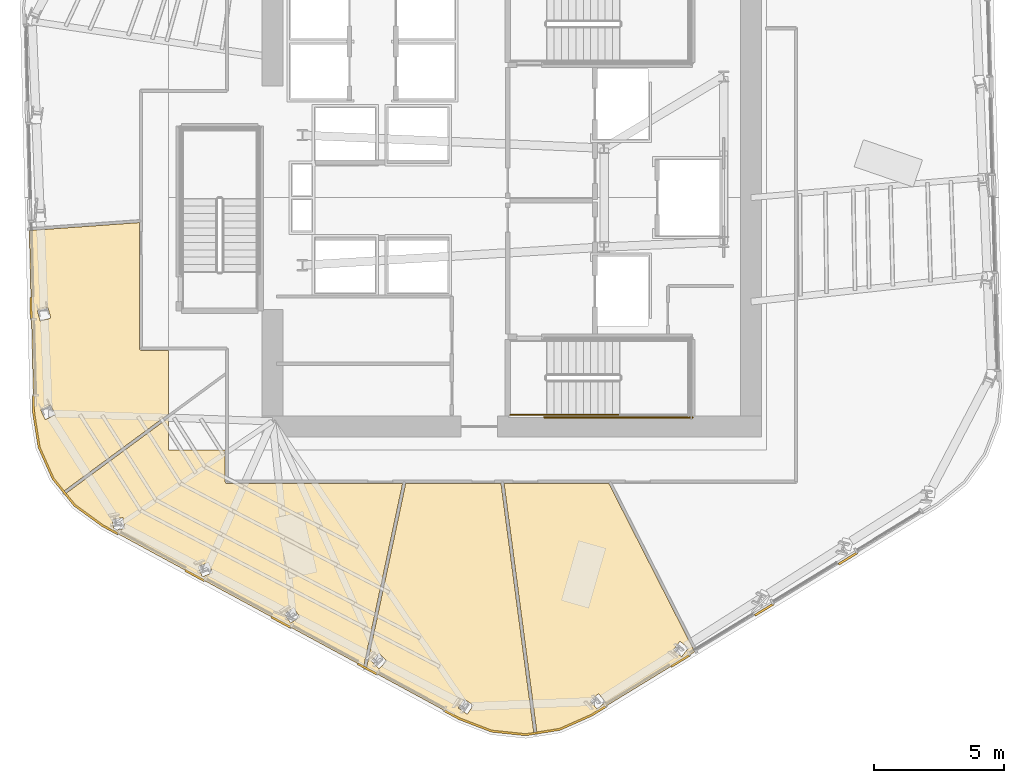
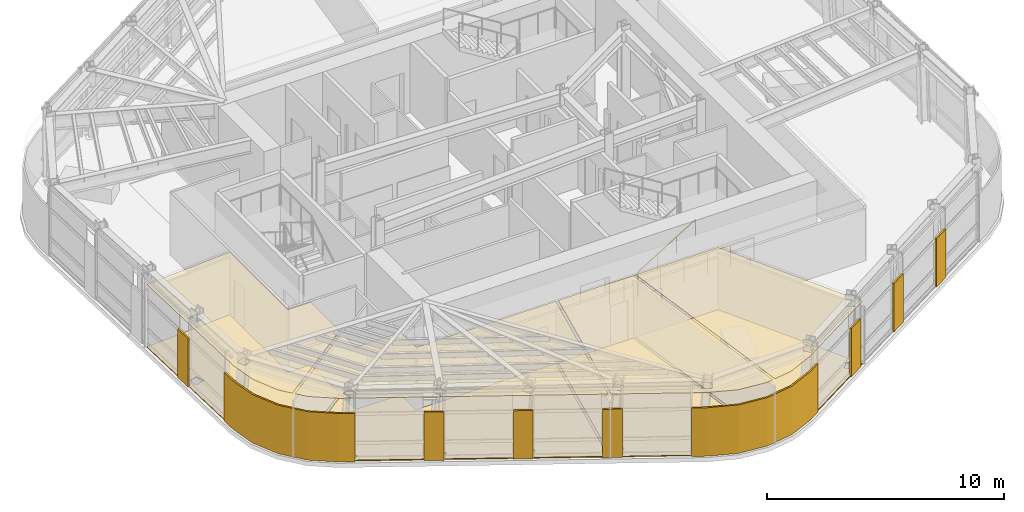
# One storey, part 10 of 15: 17 coverings, 3 railings.
"""IFC4 building model written with IfcOpenShell, lengths in metres."""

import ifcopenshell
import ifcopenshell.guid

model = None  # the IFC model being written
_history = None  # IfcOwnerHistory: only IFC2X3 demands one
_inside = {}  # id of a spatial element -> (the spatial element, [elements in it])
_under = {}  # id of a project, library or spatial element -> (it, [spatial elements below it])
_declared = {}  # id of a project -> (the project, [libraries it declares])
_typed = {}  # id of a type object -> (the type object, [elements of that type])
_made_of = {}  # id of a material, layer set ... -> (it, [elements and type objects made of it])


def new_model(schema):
    """Start an empty IFC model of exactly this schema.

    Asked for "IFC4X3", IfcOpenShell would pick the latest addendum, in which some entities
    have other attributes; the version numbers below select the first issue.
    IFC2X3 requires an IfcOwnerHistory on every rooted entity: one is made here for all.
    """
    global model, _history
    if schema == "IFC4X3":
        model = ifcopenshell.file(schema_version=(4, 3, 0, 0))
    else:
        model = ifcopenshell.file(schema=schema)
    _inside.clear()
    _under.clear()
    _declared.clear()
    _typed.clear()
    _made_of.clear()
    _history = None
    if model.schema == "IFC2X3":
        org = make("IfcOrganization", Name="unknown")
        user = make(
            "IfcPersonAndOrganization",
            ThePerson=make("IfcPerson", FamilyName="unknown"),
            TheOrganization=org,
        )
        app = make(
            "IfcApplication",
            ApplicationDeveloper=org,
            Version="unknown",
            ApplicationFullName="unknown",
            ApplicationIdentifier="unknown",
        )
        _history = make(
            "IfcOwnerHistory",
            OwningUser=user,
            OwningApplication=app,
            ChangeAction="ADDED",
            CreationDate=0,
        )
    return model


def make(cls, **values):
    """One entity of the class cls with the attributes given. An attribute that is None is left unset."""
    return model.create_entity(
        cls, **{name: value for name, value in values.items() if value is not None}
    )


def rooted(cls, **values):
    """An entity with a GlobalId (a new one), such as an element, a storey or a relation."""
    return make(cls, GlobalId=ifcopenshell.guid.new(), OwnerHistory=_history, **values)


def si_unit(unit_type, name, prefix=None):
    """IfcSIUnit, for example si_unit("LENGTHUNIT", "METRE", prefix="MILLI")."""
    return make("IfcSIUnit", UnitType=unit_type, Prefix=prefix, Name=name)


def assignment(units):
    """IfcUnitAssignment: the units of a project."""
    return None if units is None else make("IfcUnitAssignment", Units=units)


def point(xyz):
    """IfcCartesianPoint."""
    return None if xyz is None else make("IfcCartesianPoint", Coordinates=xyz)


def direction(xyz):
    """IfcDirection."""
    return None if xyz is None else make("IfcDirection", DirectionRatios=xyz)


def frame(location, z_axis=None, x_axis=None):
    """IfcAxis2Placement3D, a coordinate frame: its origin and axes. An axis left out is left unset."""
    return make(
        "IfcAxis2Placement3D",
        Location=point(location),
        Axis=direction(z_axis),
        RefDirection=direction(x_axis),
    )


def frame_2d(location, x_axis=None):
    """IfcAxis2Placement2D, a coordinate frame in the plane: its origin and x axis."""
    return make(
        "IfcAxis2Placement2D", Location=point(location), RefDirection=direction(x_axis)
    )


def origin():
    """The frame at (0, 0, 0) with its axes left unset."""
    return frame((0.0, 0.0, 0.0))


def origin_2d():
    """The frame at (0, 0) in the plane with its x axis left unset."""
    return frame_2d((0.0, 0.0))


def place(relative_to, where):
    """IfcLocalPlacement: puts the frame where relative to a parent placement (None: the world)."""
    return make(
        "IfcLocalPlacement", PlacementRelTo=relative_to, RelativePlacement=where
    )


def context(
    kind, dimensions, precision=None, world=None, true_north=None, identifier=None
):
    """IfcGeometricRepresentationContext, for example the 3D "Model" context."""
    return make(
        "IfcGeometricRepresentationContext",
        ContextIdentifier=identifier,
        ContextType=kind,
        CoordinateSpaceDimension=dimensions,
        Precision=precision,
        WorldCoordinateSystem=world,
        TrueNorth=true_north,
    )


def subcontext(parent, identifier, kind, view, scale=None):
    """IfcGeometricRepresentationSubContext, for example "Body" below "Model"."""
    return make(
        "IfcGeometricRepresentationSubContext",
        ContextIdentifier=identifier,
        ContextType=kind,
        ParentContext=parent,
        TargetScale=scale,
        TargetView=view,
    )


def project(units=None, contexts=None):
    """IfcProject with its units and contexts."""
    return rooted(
        "IfcProject",
        Name="project",
        RepresentationContexts=contexts,
        UnitsInContext=assignment(units),
    )


def spatial(cls, under=None, at=None, **own):
    """A site, building, storey or space (cls), placed at a placement, below another one or the project."""
    s = rooted(cls, ObjectPlacement=at, **own)
    if under is not None:
        _under.setdefault(under.id(), (under, []))[1].append(s)
    return s


def polyline(points):
    """IfcPolyline through the points."""
    return make("IfcPolyline", Points=[point(p) for p in points])


def profile(cls, at=None, kind="AREA", **sizes):
    """A parametric profile (cls). Its sizes go by their IFC names, for example OverallWidth=200.0."""
    return make(cls, ProfileType=kind, Position=at, **sizes)


def circle(**sizes):
    """IfcCircleProfileDef."""
    return profile("IfcCircleProfileDef", **sizes)


def outline(outer, holes=None, kind="AREA"):
    """IfcArbitraryClosedProfileDef: a profile drawn as a closed curve; with holes, ...WithVoids."""
    if holes is None:
        return make("IfcArbitraryClosedProfileDef", ProfileType=kind, OuterCurve=outer)
    return make(
        "IfcArbitraryProfileDefWithVoids",
        ProfileType=kind,
        OuterCurve=outer,
        InnerCurves=holes,
    )


def extrude(swept, where, along, depth):
    """IfcExtrudedAreaSolid: the profile swept, set in the frame where, extruded along a direction by depth."""
    return make(
        "IfcExtrudedAreaSolid",
        SweptArea=swept,
        Position=where,
        ExtrudedDirection=direction(along),
        Depth=depth,
    )


def shape(context_of_items, identifier, shape_type, items):
    """IfcShapeRepresentation: the items that make up one representation, for example the "Body"."""
    return make(
        "IfcShapeRepresentation",
        ContextOfItems=context_of_items,
        RepresentationIdentifier=identifier,
        RepresentationType=shape_type,
        Items=items,
    )


def material(Name=None, Category=None):
    """IfcMaterial."""
    return make("IfcMaterial", Name=Name, Category=Category)


def layer(
    of_material, thickness, ventilated=None, Name=None, Category=None, Priority=None
):
    """IfcMaterialLayer: one layer of a wall or slab, of a material (None: an air gap)."""
    return make(
        "IfcMaterialLayer",
        Material=of_material,
        LayerThickness=thickness,
        IsVentilated=ventilated,
        Name=Name,
        Category=Category,
        Priority=Priority,
    )


def layer_set(layers, Name=None):
    """IfcMaterialLayerSet."""
    return make("IfcMaterialLayerSet", MaterialLayers=layers, LayerSetName=Name)


def made_of(thing, what):
    """Note that an element or type object is made of a material, layer set ...; save() writes the relation."""
    if what is not None:
        _made_of.setdefault(what.id(), (what, []))[1].append(thing)
    return thing


def type_object(cls, material=None, **own):
    """A type object (cls), such as IfcWallType, which elements share."""
    return made_of(rooted(cls, **own), material)


def element(
    cls,
    number,
    at=None,
    inside=None,
    cuts=None,
    type_object=None,
    material=None,
    context=None,
    identifier="Body",
    shape_type=None,
    held_by="IfcProductDefinitionShape",
    body=None,
    shapes=None,
    **own,
):
    """One element of the class cls, such as IfcWall. Its Tag is "e" and its number.

    at: its placement. inside: the storey or other place that contains it. cuts: it is an
    opening in that element (IfcRelVoidsElement). A single representation is given by context,
    identifier, shape_type and body (its items); several are given by shapes. held_by: the class
    of the entity that holds the representations. save() writes the other relations.
    """
    e = rooted(cls, Tag="e%d" % number, ObjectPlacement=at, **own)
    if body is not None:
        shapes = [shape(context, identifier, shape_type, body)]
    if shapes is not None:
        e.Representation = make(held_by, Representations=shapes)
    if inside is not None:
        _inside.setdefault(inside.id(), (inside, []))[1].append(e)
    if cuts is not None:
        rooted(
            "IfcRelVoidsElement", RelatingBuildingElement=cuts, RelatedOpeningElement=e
        )
    if type_object is not None:
        _typed.setdefault(type_object.id(), (type_object, []))[1].append(e)
    return made_of(e, material)


def aggregate(whole, parts):
    """IfcRelAggregates: a whole, such as a stair, and the parts it consists of."""
    return rooted("IfcRelAggregates", RelatingObject=whole, RelatedObjects=parts)


def save(model, path):
    """Write the relations noted so far, then the file.

    IfcRelAggregates (storeys below a building ...), IfcRelContainedInSpatialStructure (elements
    in a storey), IfcRelDefinesByType, IfcRelAssociatesMaterial and IfcRelDeclares: one each for
    every whole, place, type object, material and project.
    """
    for whole, parts in _under.values():
        aggregate(whole, parts)
    for where, things in _inside.values():
        rooted(
            "IfcRelContainedInSpatialStructure",
            RelatedElements=things,
            RelatingStructure=where,
        )
    for kind, things in _typed.values():
        rooted("IfcRelDefinesByType", RelatedObjects=things, RelatingType=kind)
    for what, things in _made_of.values():
        rooted("IfcRelAssociatesMaterial", RelatedObjects=things, RelatingMaterial=what)
    for by, libraries in _declared.values():
        rooted("IfcRelDeclares", RelatingContext=by, RelatedDefinitions=libraries)
    model.write(path)


model = new_model("IFC4")

# Units and contexts
model_context = context("Model", 3, precision=1e-05, world=origin(), true_north=direction((0.0, 1.0)))
body_context = subcontext(model_context, "Body", "Model", "MODEL_VIEW")
ifc_project = project(units=[si_unit("LENGTHUNIT", "METRE"), si_unit("AREAUNIT", "SQUARE_METRE"), si_unit("VOLUMEUNIT", "CUBIC_METRE"), si_unit("PLANEANGLEUNIT", "RADIAN"), si_unit("MASSUNIT", "GRAM", prefix="KILO")], contexts=[model_context])

# Site, building, storey
site_placement = place(None, origin())
site = spatial("IfcSite", under=ifc_project, at=site_placement, CompositionType="ELEMENT")
building_placement = place(site_placement, origin())
building = spatial("IfcBuilding", under=site, at=building_placement, Name="Valkerne Bourse Tower", CompositionType="ELEMENT")
storey_placement = place(building_placement, frame((0.0, 0.0, 159.0)))
storey = spatial("IfcBuildingStorey", under=building, at=storey_placement, Name="L40", CompositionType="ELEMENT", Elevation=159.0)

# Coverings
ifc_material_1 = material(Name="Mineral Fiber Acoustic Ceiling Tile", Category="acoustic")
ifc_layer_1 = layer(ifc_material_1, 0.02490234375)
ifc_layer_set_1 = layer_set([ifc_layer_1], Name="Mineral Fiber Acoustic Ceiling Tile")
covering_type_1 = type_object("IfcCoveringType", Name="COV-CEIL-ACT", PredefinedType="CEILING", material=ifc_layer_set_1)
covering_1_placement = place(storey_placement, frame((0.0, 0.0, 3.22998046875)))
element("IfcCovering", 1, at=covering_1_placement, inside=storey, type_object=covering_type_1, Name="L40 Suspended Ceiling 04", PredefinedType="CEILING", context=body_context, shape_type="SweptSolid", body=[
    extrude(outline(polyline([(28.42822265625, 18.716064453125), (28.25341796875, 25.733642578125), (32.48095703125, 26.038330078125), (32.48095703125, 21.199462890625), (32.490478515625, 21.164794921875), (32.514892578125, 21.140380859375), (32.549560546875, 21.131103515625), (33.60009765625, 21.131103515625), (33.60009765625, 18.6748046875), (29.57080078125, 15.70654296875), (29.1728515625, 16.197998046875), (28.63623046875, 17.403564453125), (28.42822265625, 18.716064453125)]), holes=[polyline([(29.251953125, 18.65185546875), (29.250732421875, 18.654541015625), (29.069580078125, 19.025634765625), (28.68798828125, 18.83935546875), (28.689208984375, 18.8369140625), (28.870361328125, 18.465576171875), (29.251953125, 18.65185546875)]), polyline([(29.079345703125, 22.37109375), (28.970947265625, 22.769775390625), (28.561279296875, 22.65869140625), (28.56201171875, 22.656005859375), (28.670166015625, 22.25732421875), (29.080078125, 22.368408203125), (29.079345703125, 22.37109375)])]), origin(), (0.0, 0.0, 1.0), 0.02490234375),
])
covering_2_placement = place(storey_placement, frame((0.0, 0.0, 3.22998046875)))
element("IfcCovering", 2, at=covering_2_placement, inside=storey, type_object=covering_type_1, Name="L40 Suspended Ceiling 05", PredefinedType="CEILING", context=body_context, shape_type="SweptSolid", body=[
    extrude(outline(polyline([(44.787353515625, 6.970947265625), (41.214111328125, 8.905029296875), (42.724609375, 16.010986328125), (46.38720703125, 16.010986328125), (47.651611328125, 6.406005859375), (47.340576171875, 6.356689453125), (46.0283203125, 6.49462890625), (44.787353515625, 6.970947265625)]), holes=[polyline([(45.325927734375, 7.484619140625), (44.97509765625, 7.7216796875), (44.97216796875, 7.72216796875), (44.7412109375, 7.37841796875), (45.092041015625, 7.14111328125), (45.094970703125, 7.140869140625), (45.325927734375, 7.484619140625)]), polyline([(41.692626953125, 9.482421875), (41.690185546875, 9.483154296875), (41.3984375, 9.18896484375), (41.69873046875, 8.889892578125), (41.701416015625, 8.88916015625), (41.992919921875, 9.183349609375), (41.692626953125, 9.482421875)])]), origin(), (0.0, 0.0, 1.0), 0.02490234375),
])
covering_3_placement = place(storey_placement, frame((0.0, 0.0, 3.22998046875)))
element("IfcCovering", 3, at=covering_3_placement, inside=storey, type_object=covering_type_1, Name="L40 Suspended Ceiling 06", PredefinedType="CEILING", context=body_context, shape_type="SweptSolid", body=[
    extrude(outline(polyline([(47.768310546875, 6.424560546875), (46.506103515625, 16.010986328125), (50.532958984375, 16.010986328125), (53.833740234375, 9.532958984375), (49.858154296875, 7.103759765625), (48.643798828125, 6.563232421875), (47.768310546875, 6.424560546875)]), holes=[polyline([(50.406005859375, 7.614990234375), (50.135498046875, 7.928466796875), (50.1328125, 7.927978515625), (49.81298828125, 7.650390625), (50.08349609375, 7.3369140625), (50.086181640625, 7.33740234375), (50.406005859375, 7.614990234375)]), polyline([(53.5927734375, 9.684326171875), (53.26806640625, 9.94140625), (53.265380859375, 9.9404296875), (53.00341796875, 9.607666015625), (53.328125, 9.3505859375), (53.33056640625, 9.3515625), (53.5927734375, 9.684326171875)])]), origin(), (0.0, 0.0, 1.0), 0.02490234375),
])
covering_4_placement = place(storey_placement, frame((0.0, 0.0, 3.22998046875)))
element("IfcCovering", 4, at=covering_4_placement, inside=storey, type_object=covering_type_1, Name="L40 Suspended Ceiling 07", PredefinedType="CEILING", context=body_context, shape_type="SweptSolid", body=[
    extrude(outline(polyline([(29.645263671875, 15.61474609375), (33.60009765625, 18.5283203125), (33.60009765625, 17.300048828125), (35.781005859375, 17.300048828125), (35.781005859375, 16.07958984375), (35.790283203125, 16.044921875), (35.814208984375, 16.02099609375), (35.849365234375, 16.010986328125), (42.60400390625, 16.010986328125), (41.10595703125, 8.963623046875), (31.078369140625, 14.391357421875), (30.00341796875, 15.172607421875), (29.645263671875, 15.61474609375)]), holes=[polyline([(38.4150390625, 11.2314453125), (38.41259765625, 11.232666015625), (38.0673828125, 11.00390625), (38.300537109375, 10.650146484375), (38.302978515625, 10.64892578125), (38.648193359375, 10.877685546875), (38.4150390625, 11.2314453125)]), polyline([(35.13525390625, 12.968505859375), (35.133056640625, 12.97021484375), (34.74853515625, 12.81640625), (34.90478515625, 12.422607421875), (34.90673828125, 12.4208984375), (35.29150390625, 12.57470703125), (35.13525390625, 12.968505859375)]), polyline([(31.926025390625, 14.280517578125), (31.8466796875, 14.696533203125), (31.844970703125, 14.69873046875), (31.438232421875, 14.619873046875), (31.517578125, 14.203857421875), (31.51953125, 14.20166015625), (31.926025390625, 14.280517578125)])]), origin(), (0.0, 0.0, 1.0), 0.02490234375),
])
ifc_material_2 = material(Name="Bronze Anodised Aluminium AA 6063-T6", Category="aluminium")
ifc_layer_2 = layer(ifc_material_2, 0.06005859375)
ifc_layer_set_2 = layer_set([ifc_layer_2], Name="Bronze Anodised Aluminium AA 6063-T6")
covering_type_2 = type_object("IfcCoveringType", Name="COV-CRN-ALUM", PredefinedType="CLADDING", material=ifc_layer_set_2)
covering_5_placement = place(storey_placement, origin())
element("IfcCovering", 5, at=covering_5_placement, inside=storey, type_object=covering_type_2, Name="L40 Wind-Shaped Corner Aluminium Cladding 02", PredefinedType="CLADDING", context=body_context, shape_type="SweptSolid", body=[
    extrude(outline(polyline([(59.386474609375, 12.874267578125), (59.344482421875, 12.9423828125), (60.061279296875, 13.380615234375), (60.103271484375, 13.312255859375), (59.386474609375, 12.874267578125)])), origin(), (0.0, 0.0, 1.0), 2.5),
])
covering_6_placement = place(storey_placement, origin())
element("IfcCovering", 6, at=covering_6_placement, inside=storey, type_object=covering_type_2, Name="L40 Wind-Shaped Corner Aluminium Cladding 03", PredefinedType="CLADDING", context=body_context, shape_type="SweptSolid", body=[
    extrude(outline(polyline([(56.168701171875, 10.908203125), (56.126708984375, 10.976318359375), (56.843505859375, 11.414306640625), (56.885498046875, 11.34619140625), (56.168701171875, 10.908203125)])), origin(), (0.0, 0.0, 1.0), 2.5),
])
covering_7_placement = place(storey_placement, origin())
element("IfcCovering", 7, at=covering_7_placement, inside=storey, type_object=covering_type_2, Name="L40 Wind-Shaped Corner Aluminium Cladding 04", PredefinedType="CLADDING", context=body_context, shape_type="SweptSolid", body=[
    extrude(outline(polyline([(52.95068359375, 8.94189453125), (52.908935546875, 9.010009765625), (53.625732421875, 9.447998046875), (53.66748046875, 9.3798828125), (52.95068359375, 8.94189453125)])), origin(), (0.0, 0.0, 1.0), 2.5),
])
covering_8_placement = place(storey_placement, origin())
element("IfcCovering", 8, at=covering_8_placement, inside=storey, type_object=covering_type_2, Name="L40 Wind-Shaped Corner Aluminium Cladding 05", PredefinedType="CLADDING", context=body_context, shape_type="SweptSolid", body=[
    extrude(outline(polyline([(49.878662109375, 7.064697265625), (48.656494140625, 6.5205078125), (47.341796875, 6.3125), (46.017822265625, 6.45166015625), (44.768798828125, 6.930908203125), (44.180419921875, 7.24951171875), (44.218505859375, 7.31982421875), (44.802490234375, 7.00390625), (46.03662109375, 6.530029296875), (47.339599609375, 6.39306640625), (48.633544921875, 6.597900390625), (49.84130859375, 7.1357421875), (50.40771484375, 7.48193359375), (50.44970703125, 7.413818359375), (49.878662109375, 7.064697265625)])), origin(), (0.0, 0.0, 1.0), 2.5),
])
covering_9_placement = place(storey_placement, origin())
element("IfcCovering", 9, at=covering_9_placement, inside=storey, type_object=covering_type_2, Name="L40 Wind-Shaped Corner Aluminium Cladding 06", PredefinedType="CLADDING", context=body_context, shape_type="SweptSolid", body=[
    extrude(outline(polyline([(40.864013671875, 9.044677734375), (40.902099609375, 9.114990234375), (41.64111328125, 8.715087890625), (41.602783203125, 8.644775390625), (40.864013671875, 9.044677734375)])), origin(), (0.0, 0.0, 1.0), 2.5),
])
covering_10_placement = place(storey_placement, origin())
element("IfcCovering", 10, at=covering_10_placement, inside=storey, type_object=covering_type_2, Name="L40 Wind-Shaped Corner Aluminium Cladding 07", PredefinedType="CLADDING", context=body_context, shape_type="SweptSolid", body=[
    extrude(outline(polyline([(37.5478515625, 10.839599609375), (37.5859375, 10.909912109375), (38.32470703125, 10.510009765625), (38.28662109375, 10.439697265625), (37.5478515625, 10.839599609375)])), origin(), (0.0, 0.0, 1.0), 2.5),
])
covering_11_placement = place(storey_placement, origin())
element("IfcCovering", 11, at=covering_11_placement, inside=storey, type_object=covering_type_2, Name="L40 Wind-Shaped Corner Aluminium Cladding 08", PredefinedType="CLADDING", context=body_context, shape_type="SweptSolid", body=[
    extrude(outline(polyline([(34.2314453125, 12.634765625), (34.26953125, 12.705078125), (35.00830078125, 12.30517578125), (34.97021484375, 12.23486328125), (34.2314453125, 12.634765625)])), origin(), (0.0, 0.0, 1.0), 2.5),
])
covering_12_placement = place(storey_placement, origin())
element("IfcCovering", 12, at=covering_12_placement, inside=storey, type_object=covering_type_2, Name="L40 Wind-Shaped Corner Aluminium Cladding 09", PredefinedType="CLADDING", context=body_context, shape_type="SweptSolid", body=[
    extrude(outline(polyline([(31.054931640625, 14.35400390625), (29.97265625, 15.140380859375), (29.135009765625, 16.1748046875), (28.593505859375, 17.390869140625), (28.38427734375, 18.712158203125), (28.367431640625, 19.39306640625), (28.447265625, 19.39501953125), (28.464111328125, 18.719482421875), (28.6708984375, 17.413818359375), (29.203857421875, 16.217041015625), (30.0283203125, 15.198974609375), (31.09765625, 14.421875), (31.69189453125, 14.10009765625), (31.65380859375, 14.02978515625), (31.054931640625, 14.35400390625)])), origin(), (0.0, 0.0, 1.0), 2.5),
])
covering_13_placement = place(storey_placement, origin())
element("IfcCovering", 13, at=covering_13_placement, inside=storey, type_object=covering_type_2, Name="L40 Wind-Shaped Corner Aluminium Cladding 10", PredefinedType="CLADDING", context=body_context, shape_type="SweptSolid", body=[
    extrude(outline(polyline([(28.2734375, 23.162841796875), (28.353515625, 23.164794921875), (28.37451171875, 22.3251953125), (28.29443359375, 22.322998046875), (28.2734375, 23.162841796875)])), origin(), (0.0, 0.0, 1.0), 2.5),
])
ifc_material_3 = material(Name="Galvanised Painted Steel", Category="steel")
ifc_layer_3 = layer(ifc_material_3, 0.044921875)
ifc_layer_set_3 = layer_set([ifc_layer_3], Name="Galvanised Painted Steel")
covering_type_3 = type_object("IfcCoveringType", Name="COV-FLR-RAF", PredefinedType="FLOORING", material=ifc_layer_set_3)
covering_14_placement = place(storey_placement, origin())
element("IfcCovering", 14, at=covering_14_placement, inside=storey, type_object=covering_type_3, Name="L40 Floor Finish 06", PredefinedType="FLOORING", context=body_context, shape_type="SweptSolid", body=[
    extrude(outline(polyline([(47.768310546875, 6.424560546875), (46.506103515625, 16.010986328125), (50.532958984375, 16.010986328125), (53.833740234375, 9.532958984375), (49.858154296875, 7.103759765625), (48.643798828125, 6.563232421875), (47.768310546875, 6.424560546875)]), holes=[polyline([(50.406005859375, 7.614990234375), (50.135498046875, 7.928466796875), (50.1328125, 7.927978515625), (49.81298828125, 7.650390625), (50.08349609375, 7.3369140625), (50.086181640625, 7.33740234375), (50.406005859375, 7.614990234375)]), polyline([(53.5927734375, 9.684326171875), (53.26806640625, 9.94140625), (53.265380859375, 9.9404296875), (53.00341796875, 9.607666015625), (53.328125, 9.3505859375), (53.33056640625, 9.3515625), (53.5927734375, 9.684326171875)])]), origin(), (0.0, 0.0, 1.0), 0.044921875),
])
covering_15_placement = place(storey_placement, origin())
element("IfcCovering", 15, at=covering_15_placement, inside=storey, type_object=covering_type_3, Name="L40 Floor Finish 07", PredefinedType="FLOORING", context=body_context, shape_type="SweptSolid", body=[
    extrude(outline(polyline([(29.645263671875, 15.61474609375), (33.60009765625, 18.5283203125), (33.60009765625, 17.300048828125), (35.781005859375, 17.300048828125), (35.781005859375, 16.07958984375), (35.790283203125, 16.044921875), (35.814208984375, 16.02099609375), (35.849365234375, 16.010986328125), (42.60400390625, 16.010986328125), (41.10595703125, 8.963623046875), (31.078369140625, 14.391357421875), (30.00341796875, 15.172607421875), (29.645263671875, 15.61474609375)]), holes=[polyline([(38.4150390625, 11.2314453125), (38.41259765625, 11.232666015625), (38.0673828125, 11.00390625), (38.300537109375, 10.650146484375), (38.302978515625, 10.64892578125), (38.648193359375, 10.877685546875), (38.4150390625, 11.2314453125)]), polyline([(35.13525390625, 12.968505859375), (35.133056640625, 12.97021484375), (34.74853515625, 12.81640625), (34.90478515625, 12.422607421875), (34.90673828125, 12.4208984375), (35.29150390625, 12.57470703125), (35.13525390625, 12.968505859375)]), polyline([(31.926025390625, 14.280517578125), (31.8466796875, 14.696533203125), (31.844970703125, 14.69873046875), (31.438232421875, 14.619873046875), (31.517578125, 14.203857421875), (31.51953125, 14.20166015625), (31.926025390625, 14.280517578125)])]), origin(), (0.0, 0.0, 1.0), 0.044921875),
])
ifc_material_4 = material(Name="Polished Granite Stone", Category="masonry")
ifc_layer_4 = layer(ifc_material_4, 0.030029296875)
ifc_layer_set_4 = layer_set([ifc_layer_4], Name="Polished Granite Stone")
covering_type_4 = type_object("IfcCoveringType", Name="COV-FLR-TERRAZZO", PredefinedType="FLOORING", material=ifc_layer_set_4)
covering_16_placement = place(storey_placement, origin())
element("IfcCovering", 16, at=covering_16_placement, inside=storey, type_object=covering_type_4, Name="L40 Floor Finish 04", PredefinedType="FLOORING", context=body_context, shape_type="SweptSolid", body=[
    extrude(outline(polyline([(28.42822265625, 18.716064453125), (28.25341796875, 25.733642578125), (32.48095703125, 26.038330078125), (32.48095703125, 21.199462890625), (32.490478515625, 21.164794921875), (32.514892578125, 21.140380859375), (32.549560546875, 21.131103515625), (33.60009765625, 21.131103515625), (33.60009765625, 18.6748046875), (29.57080078125, 15.70654296875), (29.1728515625, 16.197998046875), (28.63623046875, 17.403564453125), (28.42822265625, 18.716064453125)]), holes=[polyline([(29.251953125, 18.65185546875), (29.250732421875, 18.654541015625), (29.069580078125, 19.025634765625), (28.68798828125, 18.83935546875), (28.689208984375, 18.8369140625), (28.870361328125, 18.465576171875), (29.251953125, 18.65185546875)]), polyline([(29.079345703125, 22.37109375), (28.970947265625, 22.769775390625), (28.561279296875, 22.65869140625), (28.56201171875, 22.656005859375), (28.670166015625, 22.25732421875), (29.080078125, 22.368408203125), (29.079345703125, 22.37109375)])]), origin(), (0.0, 0.0, 1.0), 0.030029296875),
])
covering_17_placement = place(storey_placement, origin())
element("IfcCovering", 17, at=covering_17_placement, inside=storey, type_object=covering_type_4, Name="L40 Floor Finish 05", PredefinedType="FLOORING", context=body_context, shape_type="SweptSolid", body=[
    extrude(outline(polyline([(44.787353515625, 6.970947265625), (41.214111328125, 8.905029296875), (42.724609375, 16.010986328125), (46.38720703125, 16.010986328125), (47.651611328125, 6.406005859375), (47.340576171875, 6.356689453125), (46.0283203125, 6.49462890625), (44.787353515625, 6.970947265625)]), holes=[polyline([(45.325927734375, 7.484619140625), (44.97509765625, 7.7216796875), (44.97216796875, 7.72216796875), (44.7412109375, 7.37841796875), (45.092041015625, 7.14111328125), (45.094970703125, 7.140869140625), (45.325927734375, 7.484619140625)]), polyline([(41.692626953125, 9.482421875), (41.690185546875, 9.483154296875), (41.3984375, 9.18896484375), (41.69873046875, 8.889892578125), (41.701416015625, 8.88916015625), (41.992919921875, 9.183349609375), (41.692626953125, 9.482421875)])]), origin(), (0.0, 0.0, 1.0), 0.030029296875),
])

# Railings
railing_type_1 = type_object("IfcRailingType", Name="RLG-ST-GUARD-1120", PredefinedType="GUARDRAIL", material=ifc_material_3)
railing_1_placement = place(storey_placement, frame((46.75, 18.64990234375, 0.0)))
element("IfcRailing", 18, at=railing_1_placement, inside=storey, type_object=railing_type_1, Name="L40 ST-1 stair guard 8", PredefinedType="GUARDRAIL", context=body_context, shape_type="SweptSolid", body=[
    extrude(circle(Radius=0.02392578125, at=origin_2d()), frame((0.0, 0.0, 1.09619140625), z_axis=(1.0, 0.0, 0.0), x_axis=(0.0, 1.0, 0.0)), (0.0, 0.0, 1.0), 1.39990234375),
    extrude(circle(Radius=0.02099609375, at=origin_2d()), origin(), (0.0, 0.0, 1.0), 1.072021484375),
    extrude(circle(Radius=0.02099609375, at=origin_2d()), frame((0.699951171875, 0.0, 0.0)), (0.0, 0.0, 1.0), 1.072021484375),
    extrude(circle(Radius=0.02099609375, at=origin_2d()), frame((1.39990234375, 0.0, 0.0)), (0.0, 0.0, 1.0), 1.072021484375),
])
railing_2_placement = place(storey_placement, frame((48.050048828125, 18.550048828125, 0.0)))
element("IfcRailing", 19, at=railing_2_placement, inside=storey, type_object=railing_type_1, Name="L40 ST-1 stair guard 10", PredefinedType="GUARDRAIL", context=body_context, shape_type="SweptSolid", body=[
    extrude(circle(Radius=0.02392578125, at=origin_2d()), frame((0.0, 0.0, 1.09619140625), z_axis=(1.0, 0.0, 0.0), x_axis=(0.0, 1.0, 0.0)), (0.0, 0.0, 1.0), 5.699951171875),
    extrude(circle(Radius=0.02099609375, at=origin_2d()), origin(), (0.0, 0.0, 1.0), 1.072021484375),
    extrude(circle(Radius=0.02099609375, at=origin_2d()), frame((1.139892578125, 0.0, 0.0)), (0.0, 0.0, 1.0), 1.072021484375),
    extrude(circle(Radius=0.02099609375, at=origin_2d()), frame((2.280029296875, 0.0, 0.0)), (0.0, 0.0, 1.0), 1.072021484375),
    extrude(circle(Radius=0.02099609375, at=origin_2d()), frame((3.419921875, 0.0, 0.0)), (0.0, 0.0, 1.0), 1.072021484375),
    extrude(circle(Radius=0.02099609375, at=origin_2d()), frame((4.56005859375, 0.0, 0.0)), (0.0, 0.0, 1.0), 1.072021484375),
    extrude(circle(Radius=0.02099609375, at=origin_2d()), frame((5.699951171875, 0.0, 0.0)), (0.0, 0.0, 1.0), 1.072021484375),
])
ifc_material_5 = material(Name="Stainless Steel AISI 316", Category="steel")
railing_type_2 = type_object("IfcRailingType", Name="RLG-ST-HANDRAIL-900", PredefinedType="HANDRAIL", material=ifc_material_5)
railing_3_placement = place(storey_placement, frame((48.14990234375, 18.64990234375, 0.345458984375)))
element("IfcRailing", 20, at=railing_3_placement, inside=storey, type_object=railing_type_2, Name="L40 ST-1 stair handrail 1", PredefinedType="HANDRAIL", context=body_context, shape_type="SweptSolid", body=[
    extrude(circle(Radius=0.02392578125, at=origin_2d()), frame((0.0, 0.0, 0.8759765625), z_axis=(0.851089632645, 0.0, 0.525020415988), x_axis=(0.0, 1.0, 0.0)), (0.0, 0.0, 1.0), 3.2900390625),
    extrude(circle(Radius=0.02099609375, at=origin_2d()), origin(), (0.0, 0.0, 1.0), 0.851806640625),
    extrude(circle(Radius=0.02099609375, at=origin_2d()), frame((0.933349609375, 0.0, 0.57568359375)), (0.0, 0.0, 1.0), 0.851806640625),
    extrude(circle(Radius=0.02099609375, at=origin_2d()), frame((1.86669921875, 0.0, 1.151611328125)), (0.0, 0.0, 1.0), 0.851806640625),
    extrude(circle(Radius=0.02099609375, at=origin_2d()), frame((2.800048828125, 0.0, 1.727294921875)), (0.0, 0.0, 1.0), 0.851806640625),
])

save(model, "model.ifc")
